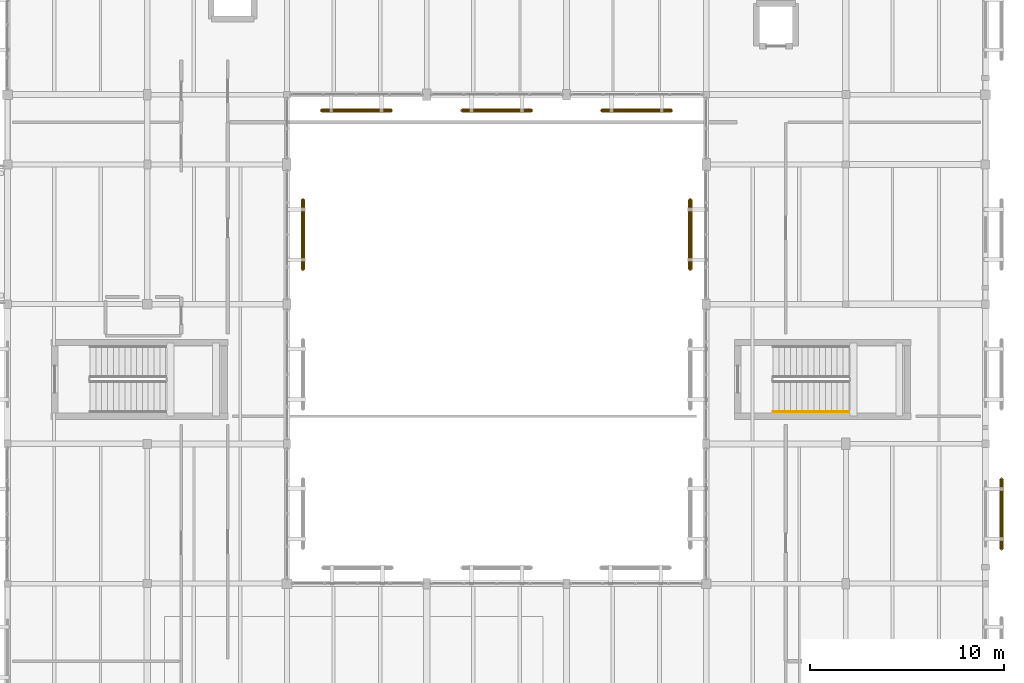
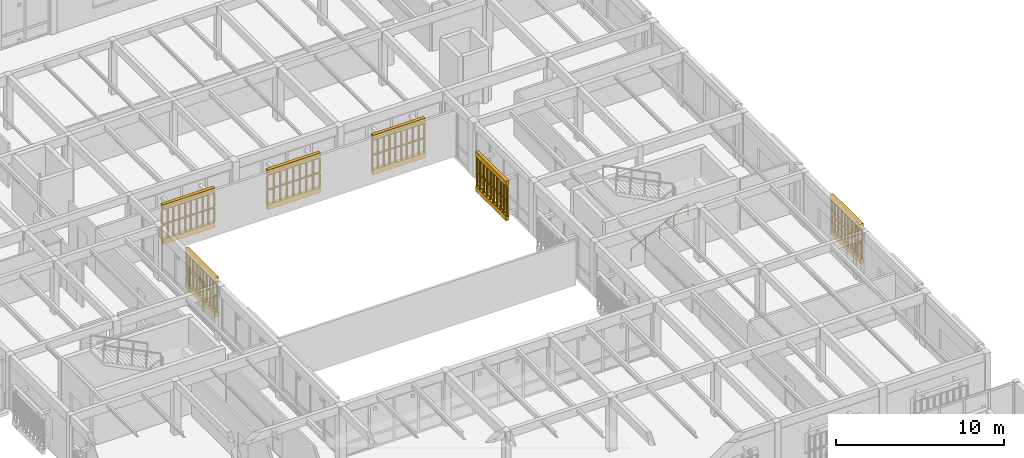
# One storey, part 215 of 217: 13 railings, 12 coverings.
"""IFC4 building model written with IfcOpenShell, lengths in metres."""

from ifc_helpers import new_model, si_unit, direction, frame, origin, origin_2d, place, context, subcontext, project, spatial, polyline, circle, outline, extrude, material, layer, layer_set, type_object, element, save


model = new_model("IFC4")

# Units and contexts
model_context = context("Model", 3, precision=1e-05, world=origin(), true_north=direction((0.0, 1.0)))
body_context = subcontext(model_context, "Body", "Model", "MODEL_VIEW")
ifc_project = project(units=[si_unit("LENGTHUNIT", "METRE"), si_unit("AREAUNIT", "SQUARE_METRE"), si_unit("VOLUMEUNIT", "CUBIC_METRE"), si_unit("PLANEANGLEUNIT", "RADIAN"), si_unit("MASSUNIT", "GRAM", prefix="KILO")], contexts=[model_context])

# Site, building, storey
site_placement = place(None, origin())
site = spatial("IfcSite", under=ifc_project, at=site_placement, CompositionType="ELEMENT")
building_placement = place(site_placement, origin())
building = spatial("IfcBuilding", under=site, at=building_placement, Name="Mazaris Harbour Polytechnic", CompositionType="ELEMENT")
storey_placement = place(building_placement, frame((0.0, 0.0, 9.60009765625)))
storey = spatial("IfcBuildingStorey", under=building, at=storey_placement, Name="L02", CompositionType="ELEMENT", Elevation=9.60009765625)

# Railings
ifc_material_1 = material(Name="Perforated Earth-Coloured Terracotta Block", Category="masonry")
railing_type_1 = type_object("IfcRailingType", Name="Perforated Earth-Block Claustra Lattice 1040", PredefinedType="BALUSTRADE", material=ifc_material_1)
for number, where, name in (
    (1, (173.6201171875, 66.590087890625, 0.52001953125), "V5 L02 Lower Perforated Terracotta Block Screen 428"),
    (2, (173.6201171875, 66.590087890625, 1.60986328125), "V5 L02 Upper Perforated Terracotta Block Screen 428"),
):
    element("IfcRailing", number, at=place(storey_placement, frame(where)), inside=storey, type_object=railing_type_1, Name=name, PredefinedType="BALUSTRADE", context=body_context, shape_type="SweptSolid", body=[
        extrude(circle(Radius=0.06982421875, at=origin_2d()), frame((0.0, 0.0, 1.02001953125), z_axis=(0.0, -1.0, 0.0), x_axis=(1.0, 0.0, 0.0)), (0.0, 0.0, 1.0), 3.60009765625),
        extrude(circle(Radius=0.074951171875, at=origin_2d()), origin(), (0.0, 0.0, 1.0), 0.9501953125),
        extrude(circle(Radius=0.074951171875, at=origin_2d()), frame((0.0, -0.39990234375, 0.0)), (0.0, 0.0, 1.0), 0.9501953125),
        extrude(circle(Radius=0.074951171875, at=origin_2d()), frame((0.0, -0.800048828125, 0.0)), (0.0, 0.0, 1.0), 0.9501953125),
        extrude(circle(Radius=0.074951171875, at=origin_2d()), frame((0.0, -1.199951171875, 0.0)), (0.0, 0.0, 1.0), 0.9501953125),
        extrude(circle(Radius=0.074951171875, at=origin_2d()), frame((0.0, -1.60009765625, 0.0)), (0.0, 0.0, 1.0), 0.9501953125),
        extrude(circle(Radius=0.074951171875, at=origin_2d()), frame((0.0, -2.0, 0.0)), (0.0, 0.0, 1.0), 0.9501953125),
        extrude(circle(Radius=0.074951171875, at=origin_2d()), frame((0.0, -2.400146484375, 0.0)), (0.0, 0.0, 1.0), 0.9501953125),
        extrude(circle(Radius=0.074951171875, at=origin_2d()), frame((0.0, -2.800048828125, 0.0)), (0.0, 0.0, 1.0), 0.9501953125),
        extrude(circle(Radius=0.074951171875, at=origin_2d()), frame((0.0, -3.2001953125, 0.0)), (0.0, 0.0, 1.0), 0.9501953125),
        extrude(circle(Radius=0.074951171875, at=origin_2d()), frame((0.0, -3.60009765625, 0.0)), (0.0, 0.0, 1.0), 0.9501953125),
    ])
for number, where, name in (
    (3, (142.175048828125, 85.580078125, 0.52001953125), "V5 L02 Lower Perforated Terracotta Block Screen 437"),
    (4, (142.175048828125, 85.580078125, 1.60986328125), "V5 L02 Upper Perforated Terracotta Block Screen 437"),
):
    element("IfcRailing", number, at=place(storey_placement, frame(where)), inside=storey, type_object=railing_type_1, Name=name, PredefinedType="BALUSTRADE", context=body_context, shape_type="SweptSolid", body=[
        extrude(circle(Radius=0.06982421875, at=origin_2d()), frame((0.0, 0.0, 1.02001953125), z_axis=(-1.0, 0.0, 0.0), x_axis=(0.0, -1.0, 0.0)), (0.0, 0.0, 1.0), 3.60009765625),
        extrude(circle(Radius=0.074951171875, at=origin_2d()), origin(), (0.0, 0.0, 1.0), 0.9501953125),
        extrude(circle(Radius=0.074951171875, at=origin_2d()), frame((-0.39990234375, 0.0, 0.0)), (0.0, 0.0, 1.0), 0.9501953125),
        extrude(circle(Radius=0.074951171875, at=origin_2d()), frame((-0.800048828125, 0.0, 0.0)), (0.0, 0.0, 1.0), 0.9501953125),
        extrude(circle(Radius=0.074951171875, at=origin_2d()), frame((-1.199951171875, 0.0, 0.0)), (0.0, 0.0, 1.0), 0.9501953125),
        extrude(circle(Radius=0.074951171875, at=origin_2d()), frame((-1.60009765625, 0.0, 0.0)), (0.0, 0.0, 1.0), 0.9501953125),
        extrude(circle(Radius=0.074951171875, at=origin_2d()), frame((-2.0, 0.0, 0.0)), (0.0, 0.0, 1.0), 0.9501953125),
        extrude(circle(Radius=0.074951171875, at=origin_2d()), frame((-2.400146484375, 0.0, 0.0)), (0.0, 0.0, 1.0), 0.9501953125),
        extrude(circle(Radius=0.074951171875, at=origin_2d()), frame((-2.800048828125, 0.0, 0.0)), (0.0, 0.0, 1.0), 0.9501953125),
        extrude(circle(Radius=0.074951171875, at=origin_2d()), frame((-3.2001953125, 0.0, 0.0)), (0.0, 0.0, 1.0), 0.9501953125),
        extrude(circle(Radius=0.074951171875, at=origin_2d()), frame((-3.60009765625, 0.0, 0.0)), (0.0, 0.0, 1.0), 0.9501953125),
    ])
for number, where, name in (
    (5, (149.409912109375, 85.580078125, 0.52001953125), "V5 L02 Lower Perforated Terracotta Block Screen 438"),
    (6, (149.409912109375, 85.580078125, 1.60986328125), "V5 L02 Upper Perforated Terracotta Block Screen 438"),
):
    element("IfcRailing", number, at=place(storey_placement, frame(where)), inside=storey, type_object=railing_type_1, Name=name, PredefinedType="BALUSTRADE", context=body_context, shape_type="SweptSolid", body=[
        extrude(circle(Radius=0.06982421875, at=origin_2d()), frame((0.0, 0.0, 1.02001953125), z_axis=(-1.0, 0.0, 0.0), x_axis=(0.0, -1.0, 0.0)), (0.0, 0.0, 1.0), 3.599853515625),
        extrude(circle(Radius=0.074951171875, at=origin_2d()), origin(), (0.0, 0.0, 1.0), 0.9501953125),
        extrude(circle(Radius=0.074951171875, at=origin_2d()), frame((-0.449951171875, 0.0, 0.0)), (0.0, 0.0, 1.0), 0.9501953125),
        extrude(circle(Radius=0.074951171875, at=origin_2d()), frame((-0.89990234375, 0.0, 0.0)), (0.0, 0.0, 1.0), 0.9501953125),
        extrude(circle(Radius=0.074951171875, at=origin_2d()), frame((-1.349853515625, 0.0, 0.0)), (0.0, 0.0, 1.0), 0.9501953125),
        extrude(circle(Radius=0.074951171875, at=origin_2d()), frame((-1.7998046875, 0.0, 0.0)), (0.0, 0.0, 1.0), 0.9501953125),
        extrude(circle(Radius=0.074951171875, at=origin_2d()), frame((-2.25, 0.0, 0.0)), (0.0, 0.0, 1.0), 0.9501953125),
        extrude(circle(Radius=0.074951171875, at=origin_2d()), frame((-2.699951171875, 0.0, 0.0)), (0.0, 0.0, 1.0), 0.9501953125),
        extrude(circle(Radius=0.074951171875, at=origin_2d()), frame((-3.14990234375, 0.0, 0.0)), (0.0, 0.0, 1.0), 0.9501953125),
        extrude(circle(Radius=0.074951171875, at=origin_2d()), frame((-3.599853515625, 0.0, 0.0)), (0.0, 0.0, 1.0), 0.9501953125),
    ])
for number, where, name in (
    (7, (156.614990234375, 85.580078125, 0.52001953125), "V5 L02 Lower Perforated Terracotta Block Screen 439"),
    (8, (156.614990234375, 85.580078125, 1.60986328125), "V5 L02 Upper Perforated Terracotta Block Screen 439"),
):
    element("IfcRailing", number, at=place(storey_placement, frame(where)), inside=storey, type_object=railing_type_1, Name=name, PredefinedType="BALUSTRADE", context=body_context, shape_type="SweptSolid", body=[
        extrude(circle(Radius=0.06982421875, at=origin_2d()), frame((0.0, 0.0, 1.02001953125), z_axis=(-1.0, 0.0, 0.0), x_axis=(0.0, -1.0, 0.0)), (0.0, 0.0, 1.0), 3.60009765625),
        extrude(circle(Radius=0.074951171875, at=origin_2d()), origin(), (0.0, 0.0, 1.0), 0.9501953125),
        extrude(circle(Radius=0.074951171875, at=origin_2d()), frame((-0.39990234375, 0.0, 0.0)), (0.0, 0.0, 1.0), 0.9501953125),
        extrude(circle(Radius=0.074951171875, at=origin_2d()), frame((-0.800048828125, 0.0, 0.0)), (0.0, 0.0, 1.0), 0.9501953125),
        extrude(circle(Radius=0.074951171875, at=origin_2d()), frame((-1.199951171875, 0.0, 0.0)), (0.0, 0.0, 1.0), 0.9501953125),
        extrude(circle(Radius=0.074951171875, at=origin_2d()), frame((-1.60009765625, 0.0, 0.0)), (0.0, 0.0, 1.0), 0.9501953125),
        extrude(circle(Radius=0.074951171875, at=origin_2d()), frame((-2.0, 0.0, 0.0)), (0.0, 0.0, 1.0), 0.9501953125),
        extrude(circle(Radius=0.074951171875, at=origin_2d()), frame((-2.400146484375, 0.0, 0.0)), (0.0, 0.0, 1.0), 0.9501953125),
        extrude(circle(Radius=0.074951171875, at=origin_2d()), frame((-2.800048828125, 0.0, 0.0)), (0.0, 0.0, 1.0), 0.9501953125),
        extrude(circle(Radius=0.074951171875, at=origin_2d()), frame((-3.2001953125, 0.0, 0.0)), (0.0, 0.0, 1.0), 0.9501953125),
        extrude(circle(Radius=0.074951171875, at=origin_2d()), frame((-3.60009765625, 0.0, 0.0)), (0.0, 0.0, 1.0), 0.9501953125),
    ])
for number, where, name in (
    (9, (137.6201171875, 77.385009765625, 0.52001953125), "V5 L02 Lower Perforated Terracotta Block Screen 442"),
    (10, (137.6201171875, 77.385009765625, 1.60986328125), "V5 L02 Upper Perforated Terracotta Block Screen 442"),
):
    element("IfcRailing", number, at=place(storey_placement, frame(where)), inside=storey, type_object=railing_type_1, Name=name, PredefinedType="BALUSTRADE", context=body_context, shape_type="SweptSolid", body=[
        extrude(circle(Radius=0.06982421875, at=origin_2d()), frame((0.0, 0.0, 1.02001953125), z_axis=(0.0, 1.0, 0.0), x_axis=(-1.0, 0.0, 0.0)), (0.0, 0.0, 1.0), 3.60009765625),
        extrude(circle(Radius=0.074951171875, at=origin_2d()), origin(), (0.0, 0.0, 1.0), 0.9501953125),
        extrude(circle(Radius=0.074951171875, at=origin_2d()), frame((0.0, 0.39990234375, 0.0)), (0.0, 0.0, 1.0), 0.9501953125),
        extrude(circle(Radius=0.074951171875, at=origin_2d()), frame((0.0, 0.800048828125, 0.0)), (0.0, 0.0, 1.0), 0.9501953125),
        extrude(circle(Radius=0.074951171875, at=origin_2d()), frame((0.0, 1.199951171875, 0.0)), (0.0, 0.0, 1.0), 0.9501953125),
        extrude(circle(Radius=0.074951171875, at=origin_2d()), frame((0.0, 1.60009765625, 0.0)), (0.0, 0.0, 1.0), 0.9501953125),
        extrude(circle(Radius=0.074951171875, at=origin_2d()), frame((0.0, 2.0, 0.0)), (0.0, 0.0, 1.0), 0.9501953125),
        extrude(circle(Radius=0.074951171875, at=origin_2d()), frame((0.0, 2.400146484375, 0.0)), (0.0, 0.0, 1.0), 0.9501953125),
        extrude(circle(Radius=0.074951171875, at=origin_2d()), frame((0.0, 2.800048828125, 0.0)), (0.0, 0.0, 1.0), 0.9501953125),
        extrude(circle(Radius=0.074951171875, at=origin_2d()), frame((0.0, 3.2001953125, 0.0)), (0.0, 0.0, 1.0), 0.9501953125),
        extrude(circle(Radius=0.074951171875, at=origin_2d()), frame((0.0, 3.60009765625, 0.0)), (0.0, 0.0, 1.0), 0.9501953125),
    ])
for number, where, name in (
    (11, (157.580078125, 80.985107421875, 0.52001953125), "V5 L02 Lower Perforated Terracotta Block Screen 445"),
    (12, (157.580078125, 80.985107421875, 1.60986328125), "V5 L02 Upper Perforated Terracotta Block Screen 445"),
):
    element("IfcRailing", number, at=place(storey_placement, frame(where)), inside=storey, type_object=railing_type_1, Name=name, PredefinedType="BALUSTRADE", context=body_context, shape_type="SweptSolid", body=[
        extrude(circle(Radius=0.06982421875, at=origin_2d()), frame((0.0, 0.0, 1.02001953125), z_axis=(0.0, -1.0, 0.0), x_axis=(1.0, 0.0, 0.0)), (0.0, 0.0, 1.0), 3.60009765625),
        extrude(circle(Radius=0.074951171875, at=origin_2d()), origin(), (0.0, 0.0, 1.0), 0.9501953125),
        extrude(circle(Radius=0.074951171875, at=origin_2d()), frame((0.0, -0.39990234375, 0.0)), (0.0, 0.0, 1.0), 0.9501953125),
        extrude(circle(Radius=0.074951171875, at=origin_2d()), frame((0.0, -0.800048828125, 0.0)), (0.0, 0.0, 1.0), 0.9501953125),
        extrude(circle(Radius=0.074951171875, at=origin_2d()), frame((0.0, -1.199951171875, 0.0)), (0.0, 0.0, 1.0), 0.9501953125),
        extrude(circle(Radius=0.074951171875, at=origin_2d()), frame((0.0, -1.60009765625, 0.0)), (0.0, 0.0, 1.0), 0.9501953125),
        extrude(circle(Radius=0.074951171875, at=origin_2d()), frame((0.0, -2.0, 0.0)), (0.0, 0.0, 1.0), 0.9501953125),
        extrude(circle(Radius=0.074951171875, at=origin_2d()), frame((0.0, -2.400146484375, 0.0)), (0.0, 0.0, 1.0), 0.9501953125),
        extrude(circle(Radius=0.074951171875, at=origin_2d()), frame((0.0, -2.800048828125, 0.0)), (0.0, 0.0, 1.0), 0.9501953125),
        extrude(circle(Radius=0.074951171875, at=origin_2d()), frame((0.0, -3.2001953125, 0.0)), (0.0, 0.0, 1.0), 0.9501953125),
        extrude(circle(Radius=0.074951171875, at=origin_2d()), frame((0.0, -3.60009765625, 0.0)), (0.0, 0.0, 1.0), 0.9501953125),
    ])
ifc_material_2 = material(Name="Stainless Steel S355", Category="steel")
railing_type_2 = type_object("IfcRailingType", Name="Stair Wall Handrail 900", PredefinedType="HANDRAIL", material=ifc_material_2)
railing_placement = place(storey_placement, frame((161.85009765625, 70.050048828125, 0.14990234375)))
element("IfcRailing", 13, at=railing_placement, inside=storey, type_object=railing_type_2, Name="L02 ST10 stair handrail 1", PredefinedType="HANDRAIL", context=body_context, shape_type="SweptSolid", body=[
    extrude(circle(Radius=0.02392578125, at=origin_2d()), frame((0.0, 0.0, 0.8759765625), z_axis=(0.894427191, 0.0, 0.4472135955), x_axis=(0.0, 1.0, 0.0)), (0.0, 0.0, 1.0), 4.360107421875),
    extrude(circle(Radius=0.02099609375, at=origin_2d()), origin(), (0.0, 0.0, 1.0), 0.851806640625),
    extrude(circle(Radius=0.02099609375, at=origin_2d()), frame((0.97509765625, 0.0, 0.487548828125)), (0.0, 0.0, 1.0), 0.851806640625),
    extrude(circle(Radius=0.02099609375, at=origin_2d()), frame((1.949951171875, 0.0, 0.97509765625)), (0.0, 0.0, 1.0), 0.851806640625),
    extrude(circle(Radius=0.02099609375, at=origin_2d()), frame((2.9248046875, 0.0, 1.46240234375)), (0.0, 0.0, 1.0), 0.851806640625),
    extrude(circle(Radius=0.02099609375, at=origin_2d()), frame((3.89990234375, 0.0, 1.949951171875)), (0.0, 0.0, 1.0), 0.851806640625),
])

# Coverings
ifc_material_3 = material(Name="Perforated Earth-Coloured Terracotta Block", Category="masonry")
ifc_layer = layer(ifc_material_3, 0.219970703125, Name="Perforated Earth-Coloured Terracotta Block")
ifc_layer_set = layer_set([ifc_layer], Name="Perforated Earth-Coloured Terracotta Block")
covering_type = type_object("IfcCoveringType", Name="Terracotta Screen Course Cladding 220", PredefinedType="CLADDING", material=ifc_layer_set)
covering_1_placement = place(storey_placement, frame((0.0, 0.0, 0.159912109375)))
element("IfcCovering", 14, at=covering_1_placement, inside=storey, type_object=covering_type, Name="V5 L02 Perforated Screen Sill Course 428", PredefinedType="CLADDING", context=body_context, shape_type="SweptSolid", body=[
    extrude(outline(polyline([(173.510009765625, 66.590087890625), (173.510009765625, 62.989990234375), (173.72998046875, 62.989990234375), (173.72998046875, 66.590087890625), (173.510009765625, 66.590087890625)])), origin(), (0.0, 0.0, 1.0), 0.360107421875),
])
covering_2_placement = place(storey_placement, frame((0.0, 0.0, 2.699951171875)))
element("IfcCovering", 15, at=covering_2_placement, inside=storey, type_object=covering_type, Name="V5 L02 Perforated Screen Lintel Course 428", PredefinedType="CLADDING", context=body_context, shape_type="SweptSolid", body=[
    extrude(outline(polyline([(173.510009765625, 66.590087890625), (173.510009765625, 62.989990234375), (173.72998046875, 62.989990234375), (173.72998046875, 66.590087890625), (173.510009765625, 66.590087890625)])), origin(), (0.0, 0.0, 1.0), 0.33984375),
])
covering_3_placement = place(storey_placement, frame((0.0, 0.0, 0.159912109375)))
element("IfcCovering", 16, at=covering_3_placement, inside=storey, type_object=covering_type, Name="V5 L02 Perforated Screen Sill Course 437", PredefinedType="CLADDING", context=body_context, shape_type="SweptSolid", body=[
    extrude(outline(polyline([(142.175048828125, 85.68994140625), (138.574951171875, 85.68994140625), (138.574951171875, 85.469970703125), (142.175048828125, 85.469970703125), (142.175048828125, 85.68994140625)])), origin(), (0.0, 0.0, 1.0), 0.360107421875),
])
covering_4_placement = place(storey_placement, frame((0.0, 0.0, 2.699951171875)))
element("IfcCovering", 17, at=covering_4_placement, inside=storey, type_object=covering_type, Name="V5 L02 Perforated Screen Lintel Course 437", PredefinedType="CLADDING", context=body_context, shape_type="SweptSolid", body=[
    extrude(outline(polyline([(142.175048828125, 85.68994140625), (138.574951171875, 85.68994140625), (138.574951171875, 85.469970703125), (142.175048828125, 85.469970703125), (142.175048828125, 85.68994140625)])), origin(), (0.0, 0.0, 1.0), 0.33984375),
])
covering_5_placement = place(storey_placement, frame((0.0, 0.0, 0.159912109375)))
element("IfcCovering", 18, at=covering_5_placement, inside=storey, type_object=covering_type, Name="V5 L02 Perforated Screen Sill Course 438", PredefinedType="CLADDING", context=body_context, shape_type="SweptSolid", body=[
    extrude(outline(polyline([(149.409912109375, 85.68994140625), (145.81005859375, 85.68994140625), (145.81005859375, 85.469970703125), (149.409912109375, 85.469970703125), (149.409912109375, 85.68994140625)])), origin(), (0.0, 0.0, 1.0), 0.360107421875),
])
covering_6_placement = place(storey_placement, frame((0.0, 0.0, 2.699951171875)))
element("IfcCovering", 19, at=covering_6_placement, inside=storey, type_object=covering_type, Name="V5 L02 Perforated Screen Lintel Course 438", PredefinedType="CLADDING", context=body_context, shape_type="SweptSolid", body=[
    extrude(outline(polyline([(149.409912109375, 85.68994140625), (145.81005859375, 85.68994140625), (145.81005859375, 85.469970703125), (149.409912109375, 85.469970703125), (149.409912109375, 85.68994140625)])), origin(), (0.0, 0.0, 1.0), 0.33984375),
])
covering_7_placement = place(storey_placement, frame((0.0, 0.0, 0.159912109375)))
element("IfcCovering", 20, at=covering_7_placement, inside=storey, type_object=covering_type, Name="V5 L02 Perforated Screen Sill Course 439", PredefinedType="CLADDING", context=body_context, shape_type="SweptSolid", body=[
    extrude(outline(polyline([(156.614990234375, 85.68994140625), (153.014892578125, 85.68994140625), (153.014892578125, 85.469970703125), (156.614990234375, 85.469970703125), (156.614990234375, 85.68994140625)])), origin(), (0.0, 0.0, 1.0), 0.360107421875),
])
covering_8_placement = place(storey_placement, frame((0.0, 0.0, 2.699951171875)))
element("IfcCovering", 21, at=covering_8_placement, inside=storey, type_object=covering_type, Name="V5 L02 Perforated Screen Lintel Course 439", PredefinedType="CLADDING", context=body_context, shape_type="SweptSolid", body=[
    extrude(outline(polyline([(156.614990234375, 85.68994140625), (153.014892578125, 85.68994140625), (153.014892578125, 85.469970703125), (156.614990234375, 85.469970703125), (156.614990234375, 85.68994140625)])), origin(), (0.0, 0.0, 1.0), 0.33984375),
])
covering_9_placement = place(storey_placement, frame((0.0, 0.0, 0.159912109375)))
element("IfcCovering", 22, at=covering_9_placement, inside=storey, type_object=covering_type, Name="V5 L02 Perforated Screen Sill Course 442", PredefinedType="CLADDING", context=body_context, shape_type="SweptSolid", body=[
    extrude(outline(polyline([(137.510009765625, 77.385009765625), (137.510009765625, 80.985107421875), (137.72998046875, 80.985107421875), (137.72998046875, 77.385009765625), (137.510009765625, 77.385009765625)])), origin(), (0.0, 0.0, 1.0), 0.360107421875),
])
covering_10_placement = place(storey_placement, frame((0.0, 0.0, 2.699951171875)))
element("IfcCovering", 23, at=covering_10_placement, inside=storey, type_object=covering_type, Name="V5 L02 Perforated Screen Lintel Course 442", PredefinedType="CLADDING", context=body_context, shape_type="SweptSolid", body=[
    extrude(outline(polyline([(137.510009765625, 77.385009765625), (137.510009765625, 80.985107421875), (137.72998046875, 80.985107421875), (137.72998046875, 77.385009765625), (137.510009765625, 77.385009765625)])), origin(), (0.0, 0.0, 1.0), 0.33984375),
])
covering_11_placement = place(storey_placement, frame((0.0, 0.0, 0.159912109375)))
element("IfcCovering", 24, at=covering_11_placement, inside=storey, type_object=covering_type, Name="V5 L02 Perforated Screen Sill Course 445", PredefinedType="CLADDING", context=body_context, shape_type="SweptSolid", body=[
    extrude(outline(polyline([(157.68994140625, 80.985107421875), (157.68994140625, 77.385009765625), (157.469970703125, 77.385009765625), (157.469970703125, 80.985107421875), (157.68994140625, 80.985107421875)])), origin(), (0.0, 0.0, 1.0), 0.360107421875),
])
covering_12_placement = place(storey_placement, frame((0.0, 0.0, 2.699951171875)))
element("IfcCovering", 25, at=covering_12_placement, inside=storey, type_object=covering_type, Name="V5 L02 Perforated Screen Lintel Course 445", PredefinedType="CLADDING", context=body_context, shape_type="SweptSolid", body=[
    extrude(outline(polyline([(157.68994140625, 80.985107421875), (157.68994140625, 77.385009765625), (157.469970703125, 77.385009765625), (157.469970703125, 80.985107421875), (157.68994140625, 80.985107421875)])), origin(), (0.0, 0.0, 1.0), 0.33984375),
])

save(model, "model.ifc")
